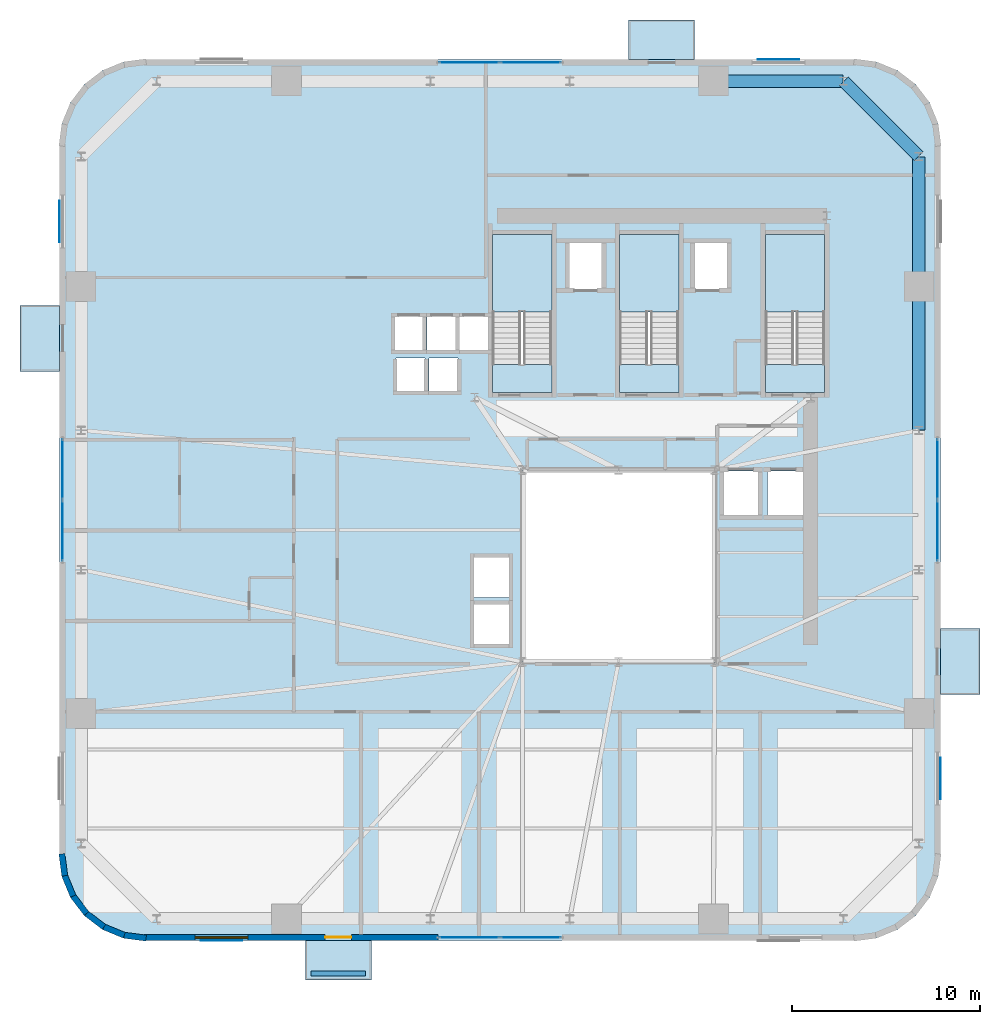
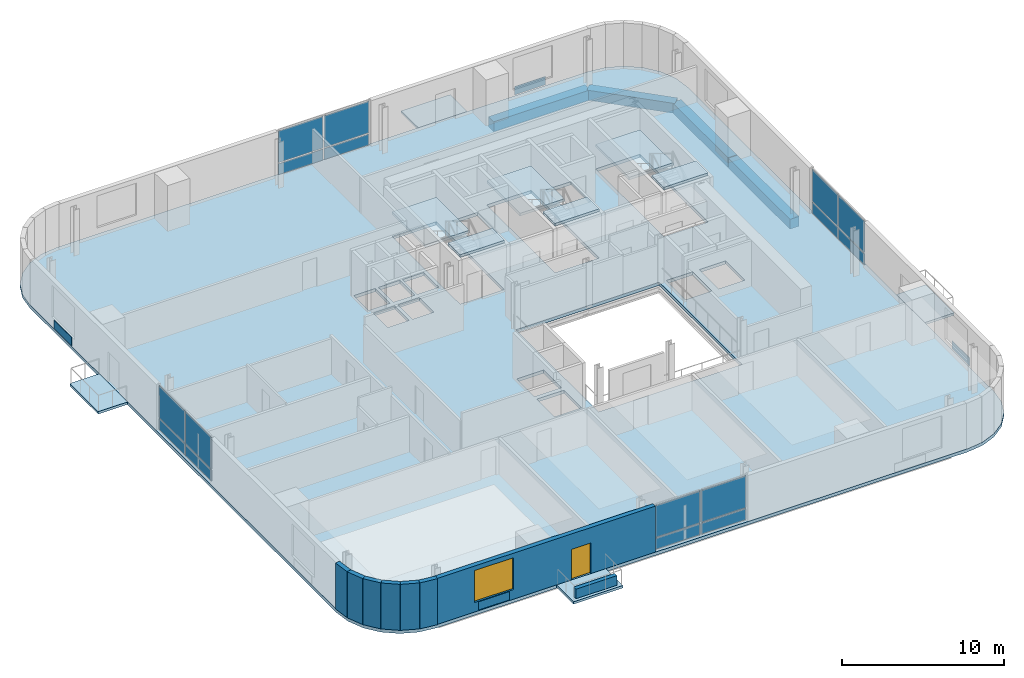
# One storey, part 5 of 12: 20 plates, 11 slabs, 8 walls, 4 beams, 1 door, 1 window, 2 openings, 7 elements without a shape of their own.
"""IFC4 building model written with IfcOpenShell, lengths in metres."""

from ifc_helpers import new_model, si_unit, direction, frame, frame_2d, origin, origin_2d, place, context, subcontext, project, spatial, polyline, rectangle, outline, extrude, source, transform, mapped, material, layer, layer_set, material_profile, profile_set, type_object, element, fill, aggregate, save


model = new_model("IFC4")

# Units and contexts
model_context = context("Model", 3, precision=1e-05, world=origin(), true_north=direction((0.0, 1.0)))
body_context = subcontext(model_context, "Body", "Model", "MODEL_VIEW")
ifc_project = project(units=[si_unit("LENGTHUNIT", "METRE"), si_unit("AREAUNIT", "SQUARE_METRE"), si_unit("VOLUMEUNIT", "CUBIC_METRE"), si_unit("PLANEANGLEUNIT", "RADIAN"), si_unit("MASSUNIT", "GRAM", prefix="KILO")], contexts=[model_context])

# Site, building, storey
site_placement = place(None, origin())
site = spatial("IfcSite", under=ifc_project, at=site_placement, CompositionType="ELEMENT")
building_placement = place(site_placement, origin())
building = spatial("IfcBuilding", under=site, at=building_placement, Name="Vardaveli Station Tower", CompositionType="ELEMENT")
storey_placement = place(building_placement, frame((0.0, 0.0, 118.699951171875)))
storey = spatial("IfcBuildingStorey", under=building, at=storey_placement, Name="L30", CompositionType="ELEMENT", Elevation=118.699951171875)

# Beams
ifc_material_1 = material(Name="Precast concrete C45/55", Category="concrete")
ifc_material_profile = material_profile(ifc_material_1, rectangle(XDim=0.64990234375, YDim=0.75, at=origin_2d()), Name="LPB 650x750")
ifc_profile_set = profile_set([ifc_material_profile], Name="Precast concrete C45/55")
beam_type = type_object("IfcBeamType", Name="BM-LPB-750", PredefinedType="BEAM", material=ifc_profile_set)
shared_shape_1 = source(origin(), body_context, "Body", "SweptSolid", [
    extrude(rectangle(XDim=0.64990234375, YDim=0.75, at=origin_2d()), origin(), (0.0, 0.0, 1.0), 7.60009765625),
])
beam_1_placement = place(storey_placement, frame((52.25, 28.919921875, -0.614990234375), z_axis=(0.0, 1.0, 0.0), x_axis=(-1.0, 0.0, 0.0)))
element("IfcBeam", 1, at=beam_1_placement, inside=storey, type_object=beam_type, Name="RBM-L30-09", PredefinedType="BEAM", context=body_context, shape_type="MappedRepresentation", body=[
    mapped(shared_shape_1, transform((0.0, 0.0, 0.0), scale=1.0)),
])
shared_shape_2 = source(origin(), body_context, "Body", "SweptSolid", [
    extrude(rectangle(XDim=0.64990234375, YDim=0.75, at=origin_2d()), origin(), (0.0, 0.0, 1.0), 6.869873046875),
])
for number, where, z_axis, x_axis, name in (
    (2, (52.25, 36.56005859375, -0.614990234375), (0.0, 1.0, 0.0), (-1.0, 0.0, 0.0), "RBM-L30-10"),
    (3, (48.22998046875, 47.449951171875, -0.614990234375), (-1.0, 0.0, 0.0), (0.0, -1.0, 0.0), "RBM-L30-12"),
):
    element("IfcBeam", number, at=place(storey_placement, frame(where, z_axis=z_axis, x_axis=x_axis)), inside=storey, type_object=beam_type, Name=name, PredefinedType="BEAM", context=body_context, shape_type="MappedRepresentation", body=[
        mapped(shared_shape_2, transform((0.0, 0.0, 0.0), scale=1.0)),
    ])
shared_shape_3 = source(origin(), body_context, "Body", "SweptSolid", [
    extrude(rectangle(XDim=0.64990234375, YDim=0.75, at=origin_2d()), origin(), (0.0, 0.0, 1.0), 5.61669921875),
])
beam_2_placement = place(storey_placement, frame((52.23583984375, 43.464111328125, -0.614990234375), z_axis=(-0.707106781187, 0.707106781187, 0.0), x_axis=(-0.707106781187, -0.707106781187, 0.0)))
element("IfcBeam", 4, at=beam_2_placement, inside=storey, type_object=beam_type, Name="RBM-L30-11", PredefinedType="BEAM", context=body_context, shape_type="MappedRepresentation", body=[
    mapped(shared_shape_3, transform((0.0, 0.0, 0.0), scale=1.0)),
])

# Stair, slabs
ifc_material_2 = material(Name="Concrete C40/50", Category="concrete")
stair_type = type_object("IfcStairType", Name="STR-CORE-1500", PredefinedType="HALF_TURN_STAIR", material=ifc_material_2)
stair_1_placement = place(storey_placement, origin())
stair_1 = element("IfcStair", 5, at=stair_1_placement, inside=storey, type_object=stair_type, Name="L30 ST-1", PredefinedType="HALF_TURN_STAIR")
ifc_layer_1 = layer(ifc_material_2, 0.199951171875, Name="Concrete C40/50")
ifc_layer_set_1 = layer_set([ifc_layer_1], Name="Concrete C40/50")
slab_type_1 = type_object("IfcSlabType", Name="SLB-LAND-200", PredefinedType="LANDING", material=ifc_layer_set_1)
slab_1_placement = place(storey_placement, frame((0.0, 0.0, 1.650146484375)))
slab_1 = element("IfcSlab", 6, at=slab_1_placement, type_object=slab_type_1, Name="ST-1 landing 1", PredefinedType="LANDING", context=body_context, shape_type="SweptSolid", body=[
    extrude(outline(polyline([(32.75, 35.199951171875), (32.75, 39.300048828125), (29.60009765625, 39.300048828125), (29.60009765625, 35.199951171875), (32.75, 35.199951171875)])), origin(), (0.0, 0.0, 1.0), 0.199951171875),
])
slab_2_placement = place(storey_placement, frame((0.0, 0.0, 3.5)))
slab_2 = element("IfcSlab", 7, at=slab_2_placement, type_object=slab_type_1, Name="ST-1 landing 2", PredefinedType="LANDING", context=body_context, shape_type="SweptSolid", body=[
    extrude(outline(polyline([(32.75, 30.89990234375), (32.75, 32.39990234375), (29.60009765625, 32.39990234375), (29.60009765625, 30.89990234375), (32.75, 30.89990234375)])), origin(), (0.0, 0.0, 1.0), 0.199951171875),
])
aggregate(stair_1, [slab_1, slab_2])

stair_2_placement = place(storey_placement, origin())
stair_2 = element("IfcStair", 8, at=stair_2_placement, inside=storey, type_object=stair_type, Name="L30 ST-2", PredefinedType="HALF_TURN_STAIR")
slab_3_placement = place(storey_placement, frame((0.0, 0.0, 1.650146484375)))
slab_3 = element("IfcSlab", 9, at=slab_3_placement, type_object=slab_type_1, Name="ST-2 landing 1", PredefinedType="LANDING", context=body_context, shape_type="SweptSolid", body=[
    extrude(outline(polyline([(39.5, 35.199951171875), (39.5, 39.300048828125), (36.35009765625, 39.300048828125), (36.35009765625, 35.199951171875), (39.5, 35.199951171875)])), origin(), (0.0, 0.0, 1.0), 0.199951171875),
])
slab_4_placement = place(storey_placement, frame((0.0, 0.0, 3.5)))
slab_4 = element("IfcSlab", 10, at=slab_4_placement, type_object=slab_type_1, Name="ST-2 landing 2", PredefinedType="LANDING", context=body_context, shape_type="SweptSolid", body=[
    extrude(outline(polyline([(39.5, 30.89990234375), (39.5, 32.39990234375), (36.35009765625, 32.39990234375), (36.35009765625, 30.89990234375), (39.5, 30.89990234375)])), origin(), (0.0, 0.0, 1.0), 0.199951171875),
])
aggregate(stair_2, [slab_3, slab_4])

stair_3_placement = place(storey_placement, origin())
stair_3 = element("IfcStair", 11, at=stair_3_placement, inside=storey, type_object=stair_type, Name="L30 ST-3", PredefinedType="HALF_TURN_STAIR")
slab_5_placement = place(storey_placement, frame((0.0, 0.0, 1.650146484375)))
slab_5 = element("IfcSlab", 12, at=slab_5_placement, type_object=slab_type_1, Name="ST-3 landing 1", PredefinedType="LANDING", context=body_context, shape_type="SweptSolid", body=[
    extrude(outline(polyline([(47.25, 35.199951171875), (47.25, 39.300048828125), (44.10009765625, 39.300048828125), (44.10009765625, 35.199951171875), (47.25, 35.199951171875)])), origin(), (0.0, 0.0, 1.0), 0.199951171875),
])
slab_6_placement = place(storey_placement, frame((0.0, 0.0, 3.5)))
slab_6 = element("IfcSlab", 13, at=slab_6_placement, type_object=slab_type_1, Name="ST-3 landing 2", PredefinedType="LANDING", context=body_context, shape_type="SweptSolid", body=[
    extrude(outline(polyline([(47.25, 30.89990234375), (47.25, 32.39990234375), (44.10009765625, 32.39990234375), (44.10009765625, 30.89990234375), (47.25, 30.89990234375)])), origin(), (0.0, 0.0, 1.0), 0.199951171875),
])
aggregate(stair_3, [slab_5, slab_6])

# Slabs
ifc_layer_2 = layer(ifc_material_1, 0.179931640625, Name="Precast concrete C45/55")
ifc_layer_set_2 = layer_set([ifc_layer_2], Name="Precast concrete C45/55")
slab_type_2 = type_object("IfcSlabType", Name="SLB-LOGGIA-180", PredefinedType="FLOOR", material=ifc_layer_set_2)
slab_7_placement = place(storey_placement, frame((0.0, 0.0, -0.179931640625)))
element("IfcSlab", 14, at=slab_7_placement, inside=storey, type_object=slab_type_2, Name="LOG-L30-S", PredefinedType="FLOOR", context=body_context, shape_type="SweptSolid", body=[
    extrude(outline(polyline([(19.660400390625, -0.300048828125), (23.160400390625, -0.300048828125), (23.160400390625, 1.800048828125), (19.660400390625, 1.800048828125), (19.660400390625, -0.300048828125)])), origin(), (0.0, 0.0, 1.0), 0.179931640625),
])
slab_8_placement = place(storey_placement, frame((0.0, 0.0, -0.179931640625)))
element("IfcSlab", 15, at=slab_8_placement, inside=storey, type_object=slab_type_2, Name="LOG-L30-N", PredefinedType="FLOOR", context=body_context, shape_type="SweptSolid", body=[
    extrude(outline(polyline([(36.839599609375, 48.60009765625), (40.339599609375, 48.60009765625), (40.339599609375, 50.699951171875), (36.839599609375, 50.699951171875), (36.839599609375, 48.60009765625)])), origin(), (0.0, 0.0, 1.0), 0.179931640625),
])
slab_9_placement = place(storey_placement, frame((0.0, 0.0, -0.179931640625)))
element("IfcSlab", 16, at=slab_9_placement, inside=storey, type_object=slab_type_2, Name="LOG-L30-W", PredefinedType="FLOOR", context=body_context, shape_type="SweptSolid", body=[
    extrude(outline(polyline([(4.5, 32.03955078125), (6.60009765625, 32.03955078125), (6.60009765625, 35.53955078125), (4.5, 35.53955078125), (4.5, 32.03955078125)])), origin(), (0.0, 0.0, 1.0), 0.179931640625),
])
slab_10_placement = place(storey_placement, frame((0.0, 0.0, -0.179931640625)))
element("IfcSlab", 17, at=slab_10_placement, inside=storey, type_object=slab_type_2, Name="LOG-L30-E", PredefinedType="FLOOR", context=body_context, shape_type="SweptSolid", body=[
    extrude(outline(polyline([(53.39990234375, 14.8603515625), (55.5, 14.8603515625), (55.5, 18.3603515625), (53.39990234375, 18.3603515625), (53.39990234375, 14.8603515625)])), origin(), (0.0, 0.0, 1.0), 0.179931640625),
])
ifc_layer_3 = layer(ifc_material_2, 0.239990234375, Name="Concrete C40/50")
ifc_layer_set_3 = layer_set([ifc_layer_3], Name="Concrete C40/50")
slab_type_3 = type_object("IfcSlabType", Name="SLB-TOW-240", PredefinedType="FLOOR", material=ifc_layer_set_3)
slab_11_placement = place(storey_placement, frame((0.0, 0.0, -0.239990234375)))
element("IfcSlab", 18, at=slab_11_placement, inside=storey, type_object=slab_type_3, Name="SLB-L30-MAIN", PredefinedType="FLOOR", context=body_context, shape_type="SweptSolid", body=[
    extrude(outline(polyline([(6.60009765625, 6.300048828125), (6.75341796875, 5.13525390625), (7.202880859375, 4.050048828125), (7.91796875, 3.117919921875), (8.85009765625, 2.40283203125), (9.935302734375, 1.953369140625), (11.10009765625, 1.800048828125), (48.89990234375, 1.800048828125), (50.064697265625, 1.953369140625), (51.14990234375, 2.40283203125), (52.08203125, 3.117919921875), (52.797119140625, 4.050048828125), (53.24658203125, 5.13525390625), (53.39990234375, 6.300048828125), (53.39990234375, 44.10009765625), (53.24658203125, 45.2646484375), (52.797119140625, 46.35009765625), (52.08203125, 47.281982421875), (51.14990234375, 47.9970703125), (50.064697265625, 48.44677734375), (48.89990234375, 48.60009765625), (11.10009765625, 48.60009765625), (9.935302734375, 48.44677734375), (8.85009765625, 47.9970703125), (7.91796875, 47.281982421875), (7.202880859375, 46.35009765625), (6.75341796875, 45.2646484375), (6.60009765625, 44.10009765625), (6.60009765625, 6.300048828125)]), holes=[polyline([(31.199951171875, 16.60009765625), (41.39990234375, 16.60009765625), (41.39990234375, 26.800048828125), (31.199951171875, 26.800048828125), (31.199951171875, 16.60009765625)]), polyline([(32.75, 30.89990234375), (32.75, 39.300048828125), (29.60009765625, 39.300048828125), (29.60009765625, 30.89990234375), (32.75, 30.89990234375)]), polyline([(39.5, 30.89990234375), (39.5, 39.300048828125), (36.35009765625, 39.300048828125), (36.35009765625, 30.89990234375), (39.5, 30.89990234375)]), polyline([(47.25, 30.89990234375), (47.25, 39.300048828125), (44.10009765625, 39.300048828125), (44.10009765625, 30.89990234375), (47.25, 30.89990234375)]), polyline([(24.385009765625, 33.135009765625), (25.9150390625, 33.135009765625), (25.9150390625, 34.965087890625), (24.385009765625, 34.965087890625), (24.385009765625, 33.135009765625)]), polyline([(26.135009765625, 33.135009765625), (27.6650390625, 33.135009765625), (27.6650390625, 34.965087890625), (26.135009765625, 34.965087890625), (26.135009765625, 33.135009765625)]), polyline([(27.8349609375, 33.135009765625), (29.364990234375, 33.135009765625), (29.364990234375, 34.965087890625), (27.8349609375, 34.965087890625), (27.8349609375, 33.135009765625)]), polyline([(33.659912109375, 36.409912109375), (35.43994140625, 36.409912109375), (35.43994140625, 38.889892578125), (33.659912109375, 38.889892578125), (33.659912109375, 36.409912109375)]), polyline([(40.31005859375, 36.409912109375), (42.090087890625, 36.409912109375), (42.090087890625, 38.889892578125), (40.31005859375, 38.889892578125), (40.31005859375, 36.409912109375)]), polyline([(24.485107421875, 30.9599609375), (26.014892578125, 30.9599609375), (26.014892578125, 32.739990234375), (24.485107421875, 32.739990234375), (24.485107421875, 30.9599609375)]), polyline([(26.235107421875, 30.9599609375), (27.764892578125, 30.9599609375), (27.764892578125, 32.739990234375), (26.235107421875, 32.739990234375), (26.235107421875, 30.9599609375)]), polyline([(28.5849609375, 17.510009765625), (30.514892578125, 17.510009765625), (30.514892578125, 19.68994140625), (28.5849609375, 19.68994140625), (28.5849609375, 17.510009765625)]), polyline([(28.5849609375, 20.010009765625), (30.514892578125, 20.010009765625), (30.514892578125, 22.18994140625), (28.5849609375, 22.18994140625), (28.5849609375, 20.010009765625)]), polyline([(41.860107421875, 24.360107421875), (43.739990234375, 24.360107421875), (43.739990234375, 26.739990234375), (41.860107421875, 26.739990234375), (41.860107421875, 24.360107421875)]), polyline([(44.2099609375, 24.360107421875), (46.090087890625, 24.360107421875), (46.090087890625, 26.739990234375), (44.2099609375, 26.739990234375), (44.2099609375, 24.360107421875)])]), origin(), (0.0, 0.0, 1.0), 0.239990234375),
])

# Curtain wall, plates
ifc_material_3 = material(Name="Travertine stone and solar-control glass", Category="masonry")
curtain_wall_type = type_object("IfcCurtainWallType", Name="CW-SYS-2", PredefinedType="NOTDEFINED", material=ifc_material_3)
curtain_wall_1_placement = place(storey_placement, origin())
curtain_wall_1 = element("IfcCurtainWall", 19, at=curtain_wall_1_placement, inside=storey, type_object=curtain_wall_type, Name="CW-L30-S", PredefinedType="NOTDEFINED")
ifc_material_4 = material(Name="Double-glazed low-E solar-control glass", Category="glass")
ifc_layer_4 = layer(ifc_material_4, 0.035888671875, Name="Double-glazed low-E solar-control glass")
ifc_layer_set_4 = layer_set([ifc_layer_4], Name="Double-glazed low-E solar-control glass")
plate_type_1 = type_object("IfcPlateType", Name="CW-SYS-2-PAN", PredefinedType="CURTAIN_PANEL", material=ifc_layer_set_4)
shared_shape_4 = source(origin(), body_context, "Body", "SweptSolid", [
    extrude(rectangle(XDim=3.172607421875, YDim=0.035888671875, at=origin_2d()), origin(), (0.0, 0.0, 1.0), 0.822509765625),
])
plate_1_placement = place(storey_placement, frame((28.371337890625, 1.9599609375, 0.0849609375), z_axis=(0.0, 0.0, 1.0), x_axis=(1.0, 0.0, 0.0)))
plate_1 = element("IfcPlate", 20, at=plate_1_placement, type_object=plate_type_1, Name="CW-2 panel 1.1", PredefinedType="CURTAIN_PANEL", context=body_context, shape_type="MappedRepresentation", body=[
    mapped(shared_shape_4, transform((0.0, 0.0, 0.0), scale=1.0)),
])
plate_2_placement = place(storey_placement, frame((31.628662109375, 1.9599609375, 0.0849609375), z_axis=(0.0, 0.0, 1.0), x_axis=(1.0, 0.0, 0.0)))
plate_2 = element("IfcPlate", 21, at=plate_2_placement, type_object=plate_type_1, Name="CW-2 panel 2.1", PredefinedType="CURTAIN_PANEL", context=body_context, shape_type="MappedRepresentation", body=[
    mapped(shared_shape_4, transform((0.0, 0.0, 0.0), scale=1.0)),
])

curtain_wall_2_placement = place(storey_placement, origin())
curtain_wall_2 = element("IfcCurtainWall", 22, at=curtain_wall_2_placement, inside=storey, type_object=curtain_wall_type, Name="CW-L30-N", PredefinedType="NOTDEFINED")
plate_3_placement = place(storey_placement, frame((31.628662109375, 48.43994140625, 0.0849609375), z_axis=(0.0, 0.0, 1.0), x_axis=(-1.0, 0.0, 0.0)))
plate_3 = element("IfcPlate", 23, at=plate_3_placement, type_object=plate_type_1, Name="CW-2 panel 1.1", PredefinedType="CURTAIN_PANEL", context=body_context, shape_type="MappedRepresentation", body=[
    mapped(shared_shape_4, transform((0.0, 0.0, 0.0), scale=1.0)),
])
plate_4_placement = place(storey_placement, frame((28.371337890625, 48.43994140625, 0.0849609375), z_axis=(0.0, 0.0, 1.0), x_axis=(-1.0, 0.0, 0.0)))
plate_4 = element("IfcPlate", 24, at=plate_4_placement, type_object=plate_type_1, Name="CW-2 panel 2.1", PredefinedType="CURTAIN_PANEL", context=body_context, shape_type="MappedRepresentation", body=[
    mapped(shared_shape_4, transform((0.0, 0.0, 0.0), scale=1.0)),
])

curtain_wall_3_placement = place(storey_placement, origin())
curtain_wall_3 = element("IfcCurtainWall", 25, at=curtain_wall_3_placement, inside=storey, type_object=curtain_wall_type, Name="CW-L30-W", PredefinedType="NOTDEFINED")
plate_5_placement = place(storey_placement, frame((6.760009765625, 26.828857421875, 0.0849609375), z_axis=(0.0, 0.0, 1.0), x_axis=(0.0, -1.0, 0.0)))
plate_5 = element("IfcPlate", 26, at=plate_5_placement, type_object=plate_type_1, Name="CW-2 panel 1.1", PredefinedType="CURTAIN_PANEL", context=body_context, shape_type="MappedRepresentation", body=[
    mapped(shared_shape_4, transform((0.0, 0.0, 0.0), scale=1.0)),
])
plate_6_placement = place(storey_placement, frame((6.760009765625, 23.5712890625, 0.0849609375), z_axis=(0.0, 0.0, 1.0), x_axis=(0.0, -1.0, 0.0)))
plate_6 = element("IfcPlate", 27, at=plate_6_placement, type_object=plate_type_1, Name="CW-2 panel 2.1", PredefinedType="CURTAIN_PANEL", context=body_context, shape_type="MappedRepresentation", body=[
    mapped(shared_shape_4, transform((0.0, 0.0, 0.0), scale=1.0)),
])

curtain_wall_4_placement = place(storey_placement, origin())
curtain_wall_4 = element("IfcCurtainWall", 28, at=curtain_wall_4_placement, inside=storey, type_object=curtain_wall_type, Name="CW-L30-E", PredefinedType="NOTDEFINED")
plate_7_placement = place(storey_placement, frame((53.239990234375, 23.5712890625, 0.0849609375), z_axis=(0.0, 0.0, 1.0), x_axis=(0.0, 1.0, 0.0)))
plate_7 = element("IfcPlate", 29, at=plate_7_placement, type_object=plate_type_1, Name="CW-2 panel 1.1", PredefinedType="CURTAIN_PANEL", context=body_context, shape_type="MappedRepresentation", body=[
    mapped(shared_shape_4, transform((0.0, 0.0, 0.0), scale=1.0)),
])
plate_8_placement = place(storey_placement, frame((53.239990234375, 26.828857421875, 0.0849609375), z_axis=(0.0, 0.0, 1.0), x_axis=(0.0, 1.0, 0.0)))
plate_8 = element("IfcPlate", 30, at=plate_8_placement, type_object=plate_type_1, Name="CW-2 panel 2.1", PredefinedType="CURTAIN_PANEL", context=body_context, shape_type="MappedRepresentation", body=[
    mapped(shared_shape_4, transform((0.0, 0.0, 0.0), scale=1.0)),
])

# Plates
ifc_material_5 = material(Name="Honed Caucasian travertine stone", Category="masonry")
ifc_layer_5 = layer(ifc_material_5, 0.034912109375, Name="Honed Caucasian travertine stone")
ifc_layer_set_5 = layer_set([ifc_layer_5], Name="Honed Caucasian travertine stone")
plate_type_2 = type_object("IfcPlateType", Name="PLT-TRAV-35", PredefinedType="SHEET", material=ifc_layer_set_5)
shared_shape_5 = source(origin(), body_context, "Body", "SweptSolid", [
    extrude(rectangle(XDim=2.199951171875, YDim=0.034912109375, at=origin_2d()), origin(), (0.0, 0.0, 1.0), 0.6201171875),
])
for number, where, z_axis, x_axis, name in (
    (31, (15.205078125, 1.79052734375, 0.070068359375), (0.0, 0.0, 1.0), (1.0, 0.0, 0.0), "PLT-TR-L30-S"),
    (32, (44.794921875, 48.609619140625, 0.070068359375), (0.0, 0.0, 1.0), (1.0, 0.0, 0.0), "PLT-TR-L30-N"),
    (33, (6.590576171875, 39.9951171875, 0.070068359375), (0.0, 0.0, 1.0), (0.0, 1.0, 0.0), "PLT-TR-L30-W"),
    (34, (53.409423828125, 10.405029296875, 0.070068359375), (0.0, 0.0, 1.0), (0.0, 1.0, 0.0), "PLT-TR-L30-E"),
):
    element("IfcPlate", number, at=place(storey_placement, frame(where, z_axis=z_axis, x_axis=x_axis)), inside=storey, type_object=plate_type_2, Name=name, PredefinedType="SHEET", context=body_context, shape_type="MappedRepresentation", body=[
        mapped(shared_shape_5, transform((0.0, 0.0, 0.0), scale=1.0)),
    ])

# Plate
shared_shape_6 = source(origin(), body_context, "Body", "SweptSolid", [
    extrude(rectangle(XDim=3.172607421875, YDim=0.035888671875, at=origin_2d()), origin(), (0.0, 0.0, 1.0), 2.382568359375),
])
plate_9_placement = place(storey_placement, frame((28.371337890625, 1.9599609375, 0.99267578125), z_axis=(0.0, 0.0, 1.0), x_axis=(1.0, 0.0, 0.0)))
plate_9 = element("IfcPlate", 35, at=plate_9_placement, type_object=plate_type_1, Name="CW-2 panel 1.2", PredefinedType="CURTAIN_PANEL", context=body_context, shape_type="MappedRepresentation", body=[
    mapped(shared_shape_6, transform((0.0, 0.0, 0.0), scale=1.0)),
])

plate_10_placement = place(storey_placement, frame((31.628662109375, 1.9599609375, 0.99267578125), z_axis=(0.0, 0.0, 1.0), x_axis=(1.0, 0.0, 0.0)))
plate_10 = element("IfcPlate", 36, at=plate_10_placement, type_object=plate_type_1, Name="CW-2 panel 2.2", PredefinedType="CURTAIN_PANEL", context=body_context, shape_type="MappedRepresentation", body=[
    mapped(shared_shape_6, transform((0.0, 0.0, 0.0), scale=1.0)),
])

aggregate(curtain_wall_1, [plate_1, plate_9, plate_2, plate_10])

plate_11_placement = place(storey_placement, frame((31.628662109375, 48.43994140625, 0.99267578125), z_axis=(0.0, 0.0, 1.0), x_axis=(-1.0, 0.0, 0.0)))
plate_11 = element("IfcPlate", 37, at=plate_11_placement, type_object=plate_type_1, Name="CW-2 panel 1.2", PredefinedType="CURTAIN_PANEL", context=body_context, shape_type="MappedRepresentation", body=[
    mapped(shared_shape_6, transform((0.0, 0.0, 0.0), scale=1.0)),
])

plate_12_placement = place(storey_placement, frame((28.371337890625, 48.43994140625, 0.99267578125), z_axis=(0.0, 0.0, 1.0), x_axis=(-1.0, 0.0, 0.0)))
plate_12 = element("IfcPlate", 38, at=plate_12_placement, type_object=plate_type_1, Name="CW-2 panel 2.2", PredefinedType="CURTAIN_PANEL", context=body_context, shape_type="MappedRepresentation", body=[
    mapped(shared_shape_6, transform((0.0, 0.0, 0.0), scale=1.0)),
])

aggregate(curtain_wall_2, [plate_3, plate_11, plate_4, plate_12])

plate_13_placement = place(storey_placement, frame((6.760009765625, 26.828857421875, 0.99267578125), z_axis=(0.0, 0.0, 1.0), x_axis=(0.0, -1.0, 0.0)))
plate_13 = element("IfcPlate", 39, at=plate_13_placement, type_object=plate_type_1, Name="CW-2 panel 1.2", PredefinedType="CURTAIN_PANEL", context=body_context, shape_type="MappedRepresentation", body=[
    mapped(shared_shape_6, transform((0.0, 0.0, 0.0), scale=1.0)),
])

plate_14_placement = place(storey_placement, frame((6.760009765625, 23.5712890625, 0.99267578125), z_axis=(0.0, 0.0, 1.0), x_axis=(0.0, -1.0, 0.0)))
plate_14 = element("IfcPlate", 40, at=plate_14_placement, type_object=plate_type_1, Name="CW-2 panel 2.2", PredefinedType="CURTAIN_PANEL", context=body_context, shape_type="MappedRepresentation", body=[
    mapped(shared_shape_6, transform((0.0, 0.0, 0.0), scale=1.0)),
])

aggregate(curtain_wall_3, [plate_5, plate_13, plate_6, plate_14])

plate_15_placement = place(storey_placement, frame((53.239990234375, 23.5712890625, 0.99267578125), z_axis=(0.0, 0.0, 1.0), x_axis=(0.0, 1.0, 0.0)))
plate_15 = element("IfcPlate", 41, at=plate_15_placement, type_object=plate_type_1, Name="CW-2 panel 1.2", PredefinedType="CURTAIN_PANEL", context=body_context, shape_type="MappedRepresentation", body=[
    mapped(shared_shape_6, transform((0.0, 0.0, 0.0), scale=1.0)),
])

plate_16_placement = place(storey_placement, frame((53.239990234375, 26.828857421875, 0.99267578125), z_axis=(0.0, 0.0, 1.0), x_axis=(0.0, 1.0, 0.0)))
plate_16 = element("IfcPlate", 42, at=plate_16_placement, type_object=plate_type_1, Name="CW-2 panel 2.2", PredefinedType="CURTAIN_PANEL", context=body_context, shape_type="MappedRepresentation", body=[
    mapped(shared_shape_6, transform((0.0, 0.0, 0.0), scale=1.0)),
])

aggregate(curtain_wall_4, [plate_7, plate_15, plate_8, plate_16])

# Wall
ifc_layer_6 = layer(ifc_material_1, 0.280029296875, Name="Precast concrete C45/55")
ifc_layer_set_6 = layer_set([ifc_layer_6], Name="Precast concrete C45/55")
wall_type_1 = type_object("IfcWallType", Name="WAL-PARAPET-280", PredefinedType="SOLIDWALL", material=ifc_layer_set_6)
shared_shape_7 = source(origin(), body_context, "Body", "SweptSolid", [
    extrude(rectangle(XDim=2.89990234375, YDim=0.280029296875, at=frame_2d((1.449951171875, 0.0))), origin(), (0.0, 0.0, 1.0), 0.719970703125),
])
wall_1_placement = place(storey_placement, frame((19.96044921875, 0.050048828125, 0.0), z_axis=(0.0, 0.0, 1.0), x_axis=(1.0, 0.0, 0.0)))
element("IfcWall", 43, at=wall_1_placement, inside=storey, type_object=wall_type_1, Name="Terrace Travertine Planter L30", PredefinedType="SOLIDWALL", context=body_context, shape_type="MappedRepresentation", body=[
    mapped(shared_shape_7, transform((0.0, 0.0, 0.0), scale=1.0)),
])

# Wall, openings, door, window
ifc_layer_7 = layer(ifc_material_1, 0.320068359375, Name="Precast concrete C45/55")
ifc_layer_set_7 = layer_set([ifc_layer_7], Name="Precast concrete C45/55")
wall_type_2 = type_object("IfcWallType", Name="WAL-EXT-STONE-320", PredefinedType="SOLIDWALL", material=ifc_layer_set_7)
shared_shape_8 = source(origin(), body_context, "Body", "SweptSolid", [
    extrude(rectangle(XDim=15.599853515625, YDim=0.320068359375, at=frame_2d((7.7998046875, 0.0))), origin(), (0.0, 0.0, 1.0), 3.4599609375),
])
wall_2_placement = place(storey_placement, frame((11.10009765625, 1.9599609375, 0.0), z_axis=(0.0, 0.0, 1.0), x_axis=(1.0, 0.0, 0.0)))
wall_2 = element("IfcWall", 44, at=wall_2_placement, inside=storey, type_object=wall_type_2, Name="EW-L30-S1", PredefinedType="SOLIDWALL", context=body_context, shape_type="MappedRepresentation", body=[
    mapped(shared_shape_8, transform((0.0, 0.0, 0.0), scale=1.0)),
])
shared_shape_9 = source(origin(), body_context, "Body", "SweptSolid", [
    extrude(rectangle(XDim=1.39990234375, YDim=2.300048828125, at=frame_2d((0.699951171875, 1.14990234375))), frame((0.0, 0.169921875, 0.0), z_axis=(0.0, -1.0, 0.0), x_axis=(1.0, 0.0, 0.0)), (0.0, 0.0, 1.0), 0.340087890625),
])
opening_1_placement = place(wall_2_placement, frame((9.6103515625, 0.0, 0.0)))
opening_1 = element("IfcOpeningElement", 45, at=opening_1_placement, cuts=wall_2, Name="Opening D-09", PredefinedType="OPENING", context=body_context, shape_type="MappedRepresentation", body=[
    mapped(shared_shape_9, transform((0.0, 0.0, 0.0), scale=1.0)),
])
shared_shape_10 = source(origin(), body_context, "Body", "SweptSolid", [
    extrude(rectangle(XDim=2.800048828125, YDim=2.39990234375, at=frame_2d((1.39990234375, 1.199951171875))), frame((0.0, 0.169921875, 0.0), z_axis=(0.0, -1.0, 0.0), x_axis=(1.0, 0.0, 0.0)), (0.0, 0.0, 1.0), 0.340087890625),
])
opening_2_placement = place(wall_2_placement, frame((2.705078125, 0.0, 0.719970703125)))
opening_2 = element("IfcOpeningElement", 46, at=opening_2_placement, cuts=wall_2, Name="Opening W-04", PredefinedType="OPENING", context=body_context, shape_type="MappedRepresentation", body=[
    mapped(shared_shape_10, transform((0.0, 0.0, 0.0), scale=1.0)),
])
ifc_material_6 = material(Name="Thermally broken aluminium glass", Category="aluminium")
door_type = type_object("IfcDoorType", Name="DR-LOG-1400x2300", OperationType="DOUBLE_DOOR_SLIDING", PredefinedType="DOOR", material=ifc_material_6)
shared_shape_11 = source(origin(), body_context, "Body", "SweptSolid", [
    extrude(rectangle(XDim=1.39990234375, YDim=2.300048828125, at=frame_2d((0.699951171875, 1.14990234375))), frame((0.0, 0.02490234375, 0.0), z_axis=(0.0, -1.0, 0.0), x_axis=(1.0, 0.0, 0.0)), (0.0, 0.0, 1.0), 0.050048828125),
])
door_placement = place(opening_1_placement, frame((1.39990234375, 0.0, 0.0), z_axis=(0.0, 0.0, 1.0), x_axis=(-1.0, 0.0, 0.0)))
door = element("IfcDoor", 47, at=door_placement, inside=storey, type_object=door_type, Name="DLG-L30-S", OperationType="DOUBLE_DOOR_SLIDING", OverallHeight=2.300048828125, OverallWidth=1.39990234375, PredefinedType="DOOR", context=body_context, shape_type="MappedRepresentation", body=[
    mapped(shared_shape_11, transform((0.0, 0.0, 0.0), scale=1.0)),
])
fill(opening_1, door)
ifc_material_7 = material(Name="Low-E solar-control glass", Category="glass")
window_type = type_object("IfcWindowType", Name="WIN-SUITE-2800x2400", PartitioningType="SINGLE_PANEL", PredefinedType="WINDOW", material=ifc_material_7)
shared_shape_12 = source(origin(), body_context, "Body", "SweptSolid", [
    extrude(rectangle(XDim=2.800048828125, YDim=2.39990234375, at=frame_2d((1.39990234375, 1.199951171875))), frame((0.0, 0.030029296875, 0.0), z_axis=(0.0, -1.0, 0.0), x_axis=(1.0, 0.0, 0.0)), (0.0, 0.0, 1.0), 0.06005859375),
])
window_placement = place(opening_2_placement, origin())
window = element("IfcWindow", 48, at=window_placement, inside=storey, type_object=window_type, Name="WN-L30-S1", OverallHeight=2.39990234375, OverallWidth=2.800048828125, PartitioningType="SINGLE_PANEL", PredefinedType="WINDOW", context=body_context, shape_type="MappedRepresentation", body=[
    mapped(shared_shape_12, transform((0.0, 0.0, 0.0), scale=1.0)),
])
fill(opening_2, window)

# Walls
shared_shape_13 = source(origin(), body_context, "Body", "SweptSolid", [
    extrude(rectangle(XDim=1.170654296875, YDim=0.320068359375, at=frame_2d((0.58544921875, 0.0))), origin(), (0.0, 0.0, 1.0), 3.4599609375),
])
wall_3_placement = place(storey_placement, frame((6.724365234375, 6.400634765625, 0.0), z_axis=(0.0, 0.0, 1.0), x_axis=(0.128269133229, -0.991739395941, 0.0)))
element("IfcWall", 49, at=wall_3_placement, inside=storey, type_object=wall_type_2, Name="EW-L30-CR1-1", PredefinedType="SOLIDWALL", context=body_context, shape_type="MappedRepresentation", body=[
    mapped(shared_shape_13, transform((0.0, 0.0, 0.0), scale=1.0)),
])
shared_shape_14 = source(origin(), body_context, "Body", "SweptSolid", [
    extrude(rectangle(XDim=1.1689453125, YDim=0.320068359375, at=frame_2d((0.58447265625, 0.0))), origin(), (0.0, 0.0, 1.0), 3.4599609375),
])
for number, where, z_axis, x_axis, name in (
    (50, (6.87451171875, 5.23974609375, 0.0), (0.0, 0.0, 1.0), (0.381127904695, -0.924522320046, 0.0), "EW-L30-CR1-2"),
    (51, (7.320068359375, 4.158935546875, 0.0), (0.0, 0.0, 1.0), (0.608387696831, -0.793639975269, 0.0), "EW-L30-CR1-3"),
):
    element("IfcWall", number, at=place(storey_placement, frame(where, z_axis=z_axis, x_axis=x_axis)), inside=storey, type_object=wall_type_2, Name=name, PredefinedType="SOLIDWALL", context=body_context, shape_type="MappedRepresentation", body=[
        mapped(shared_shape_14, transform((0.0, 0.0, 0.0), scale=1.0)),
    ])
shared_shape_15 = source(origin(), body_context, "Body", "SweptSolid", [
    extrude(rectangle(XDim=1.168701171875, YDim=0.320068359375, at=frame_2d((0.58447265625, 0.0))), origin(), (0.0, 0.0, 1.0), 3.4599609375),
])
wall_4_placement = place(storey_placement, frame((8.03125, 3.231201171875, 0.0), z_axis=(0.0, 0.0, 1.0), x_axis=(0.793663520347, -0.608356981114, 0.0)))
element("IfcWall", 52, at=wall_4_placement, inside=storey, type_object=wall_type_2, Name="EW-L30-CR1-4", PredefinedType="SOLIDWALL", context=body_context, shape_type="MappedRepresentation", body=[
    mapped(shared_shape_15, transform((0.0, 0.0, 0.0), scale=1.0)),
])
shared_shape_16 = source(origin(), body_context, "Body", "SweptSolid", [
    extrude(rectangle(XDim=1.16943359375, YDim=0.320068359375, at=frame_2d((0.584716796875, 0.0))), origin(), (0.0, 0.0, 1.0), 3.4599609375),
])
wall_5_placement = place(storey_placement, frame((8.958740234375, 2.520263671875, 0.0), z_axis=(0.0, 0.0, 1.0), x_axis=(0.924479075121, -0.381232789334, 0.0)))
element("IfcWall", 53, at=wall_5_placement, inside=storey, type_object=wall_type_2, Name="EW-L30-CR1-5", PredefinedType="SOLIDWALL", context=body_context, shape_type="MappedRepresentation", body=[
    mapped(shared_shape_16, transform((0.0, 0.0, 0.0), scale=1.0)),
])
shared_shape_17 = source(origin(), body_context, "Body", "SweptSolid", [
    extrude(rectangle(XDim=1.170166015625, YDim=0.320068359375, at=frame_2d((0.5849609375, 0.0))), origin(), (0.0, 0.0, 1.0), 3.4599609375),
])
wall_6_placement = place(storey_placement, frame((10.039794921875, 2.074462890625, 0.0), z_axis=(0.0, 0.0, 1.0), x_axis=(0.991762485493, -0.128090485085, 0.0)))
element("IfcWall", 54, at=wall_6_placement, inside=storey, type_object=wall_type_2, Name="EW-L30-CR1-6", PredefinedType="SOLIDWALL", context=body_context, shape_type="MappedRepresentation", body=[
    mapped(shared_shape_17, transform((0.0, 0.0, 0.0), scale=1.0)),
])

save(model, "model.ifc")
